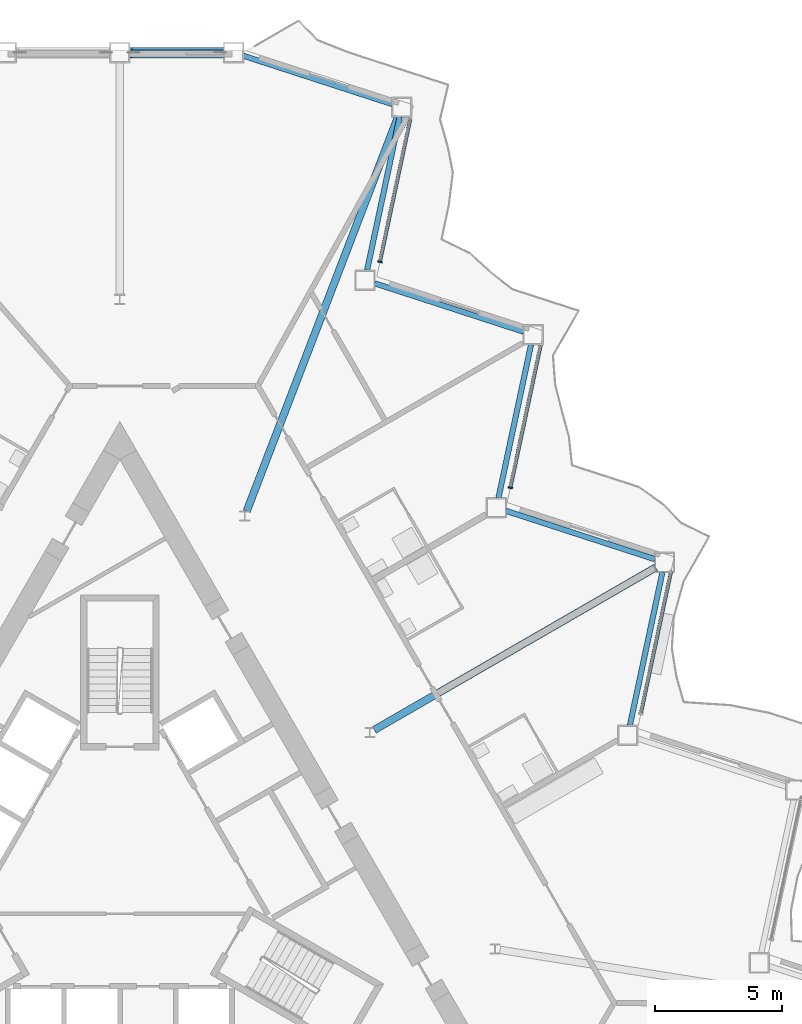
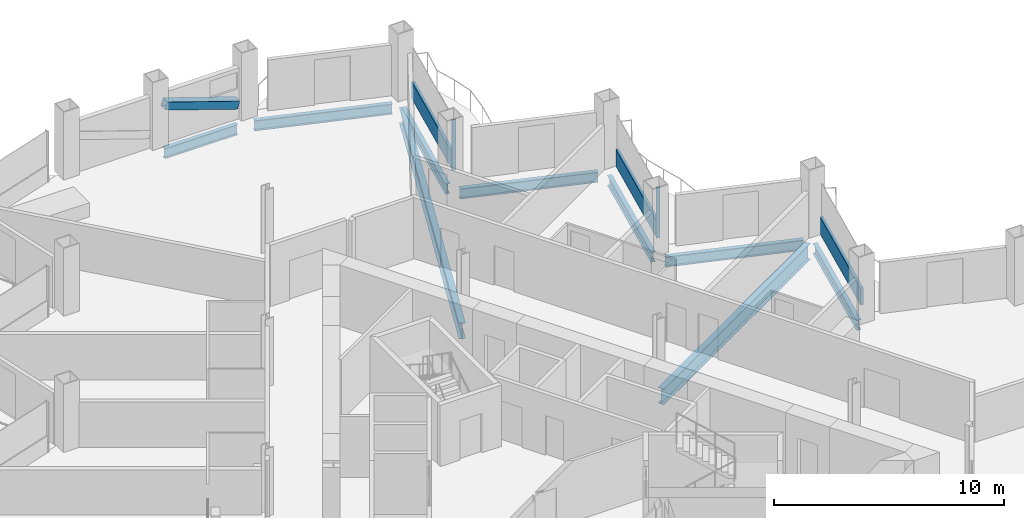
# One storey, part 8 of 23: 9 beams, 6 members, 3 elements without a shape of their own.
"""IFC4 building model written with IfcOpenShell, lengths in metres."""

from ifc_helpers import new_model, si_unit, direction, frame, origin, origin_2d, place, context, subcontext, project, spatial, rectangle, hollow_rectangle, i_section, extrude, material, layer, layer_set, material_profile, profile_set, type_object, element, aggregate, save


model = new_model("IFC4")

# Units and contexts
model_context = context("Model", 3, precision=1e-05, world=origin(), true_north=direction((0.0, 1.0)))
body_context = subcontext(model_context, "Body", "Model", "MODEL_VIEW")
ifc_project = project(units=[si_unit("LENGTHUNIT", "METRE"), si_unit("AREAUNIT", "SQUARE_METRE"), si_unit("VOLUMEUNIT", "CUBIC_METRE"), si_unit("PLANEANGLEUNIT", "RADIAN"), si_unit("MASSUNIT", "GRAM", prefix="KILO")], contexts=[model_context])

# Site, building, storey
site_placement = place(None, origin())
site = spatial("IfcSite", under=ifc_project, at=site_placement, CompositionType="ELEMENT")
building_placement = place(site_placement, origin())
building = spatial("IfcBuilding", under=site, at=building_placement, Name="Cormorant Prow Tower", CompositionType="ELEMENT")
storey_placement = place(building_placement, frame((0.0, 0.0, 180.0)))
storey = spatial("IfcBuildingStorey", under=building, at=storey_placement, Name="L38", CompositionType="ELEMENT", Elevation=180.0)

# Member
ifc_material_1 = material(Name="Structural steel ASTM A500 Gr C", Category="steel")
ifc_material_profile_1 = material_profile(ifc_material_1, hollow_rectangle(XDim=0.406494140625, YDim=0.406494140625, WallThickness=0.01171875, at=origin_2d()), Name="HSS16x16x1/2")
ifc_profile_set_1 = profile_set([ifc_material_profile_1], Name="Structural steel ASTM A500 Gr C")
member_type_1 = type_object("IfcMemberType", Name="Chamfer brace HSS16x16x1/2", PredefinedType="BRACE", material=ifc_profile_set_1)
member_1_placement = place(storey_placement, frame((4.05322265625, 32.3994140625, 0.739990234375), z_axis=(-0.947980792039, 0.0, 0.318327532464), x_axis=(0.0, -1.0, 0.0)))
element("IfcMember", 1, at=member_1_placement, inside=storey, type_object=member_type_1, Name="Chamfer brace BR2 at N00 L38", PredefinedType="BRACE", context=body_context, shape_type="SweptSolid", body=[
    extrude(hollow_rectangle(XDim=0.406494140625, YDim=0.406494140625, WallThickness=0.01171875, at=origin_2d()), origin(), (0.0, 0.0, 1.0), 3.83544921875),
])

# Curtain wall, member
ifc_material_2 = material(Name="Aluminium 6063-T6", Category="aluminium")
ifc_layer = layer(ifc_material_2, 0.179931640625)
ifc_layer_set = layer_set([ifc_layer], Name="Aluminium 6063-T6")
curtain_wall_type = type_object("IfcCurtainWallType", Name="Hotel unitised curtain wall 180", PredefinedType="NOTDEFINED", material=ifc_layer_set)
curtain_wall_1_placement = place(storey_placement, origin())
curtain_wall_1 = element("IfcCurtainWall", 2, at=curtain_wall_1_placement, inside=storey, type_object=curtain_wall_type, Name="Hotel curtain wall ENE06", PredefinedType="NOTDEFINED")
ifc_material_3 = material(Name="Aluminium 6063-T6", Category="aluminium")
ifc_material_profile_2 = material_profile(ifc_material_3, rectangle(XDim=0.179931640625, YDim=0.06005859375, at=origin_2d()), Name="Hotel mullion 60x180")
ifc_profile_set_2 = profile_set([ifc_material_profile_2], Name="Aluminium 6063-T6")
member_type_2 = type_object("IfcMemberType", Name="Hotel mullion 60x180", PredefinedType="MULLION", material=ifc_profile_set_2)
member_2_placement = place(storey_placement, frame((15.350341796875, 15.2958984375, 0.0), z_axis=(0.0, 0.0, 1.0), x_axis=(-0.978147585359, 0.207911763151, 0.0)))
member_2 = element("IfcMember", 3, at=member_2_placement, type_object=member_type_2, Name="Hotel mullion ENE06", PredefinedType="MULLION", context=body_context, shape_type="SweptSolid", body=[
    extrude(rectangle(XDim=0.179931640625, YDim=0.06005859375, at=origin_2d()), origin(), (0.0, 0.0, 1.0), 2.700927734375),
])

curtain_wall_2_placement = place(storey_placement, origin())
curtain_wall_2 = element("IfcCurtainWall", 4, at=curtain_wall_2_placement, inside=storey, type_object=curtain_wall_type, Name="Hotel curtain wall ENE08", PredefinedType="NOTDEFINED")
member_3_placement = place(storey_placement, frame((10.223388671875, 24.176513671875, 0.0), z_axis=(0.0, 0.0, 1.0), x_axis=(-0.978147621102, 0.207911594993, 0.0)))
member_3 = element("IfcMember", 5, at=member_3_placement, type_object=member_type_2, Name="Hotel mullion ENE08", PredefinedType="MULLION", context=body_context, shape_type="SweptSolid", body=[
    extrude(rectangle(XDim=0.179931640625, YDim=0.06005859375, at=origin_2d()), origin(), (0.0, 0.0, 1.0), 2.700927734375),
])

curtain_wall_3_placement = place(storey_placement, origin())
curtain_wall_3 = element("IfcCurtainWall", 6, at=curtain_wall_3_placement, inside=storey, type_object=curtain_wall_type, Name="Hotel curtain wall ENE04", PredefinedType="NOTDEFINED")
ifc_material_4 = material(Name="Terracotta", Category="masonry")
ifc_material_profile_3 = material_profile(ifc_material_4, rectangle(XDim=0.139892578125, YDim=0.89990234375, at=origin_2d()), Name="Hotel terracotta spandrel rail 140x900")
ifc_profile_set_3 = profile_set([ifc_material_profile_3], Name="Terracotta")
member_type_3 = type_object("IfcMemberType", Name="Hotel terracotta spandrel rail 140x900", PredefinedType="USERDEFINED", material=ifc_profile_set_3)
member_4_placement = place(storey_placement, frame((20.483642578125, 6.44482421875, 0.449951171875), z_axis=(0.207915072454, 0.978146881939, 0.0), x_axis=(-0.978146881939, 0.207915072454, 0.0)))
member_4 = element("IfcMember", 7, at=member_4_placement, type_object=member_type_3, Name="Hotel spandrel rail ENE04", ObjectType="TRANSOM", PredefinedType="USERDEFINED", context=body_context, shape_type="SweptSolid", body=[
    extrude(rectangle(XDim=0.139892578125, YDim=0.89990234375, at=origin_2d()), origin(), (0.0, 0.0, 1.0), 5.703125),
])
aggregate(curtain_wall_3, [member_4])

# Member
member_5_placement = place(storey_placement, frame((15.356689453125, 15.325439453125, 0.449951171875), z_axis=(0.207923778595, 0.978145031319, 0.0), x_axis=(-0.978145031319, 0.207923778595, 0.0)))
member_5 = element("IfcMember", 8, at=member_5_placement, type_object=member_type_3, Name="Hotel spandrel rail ENE06", ObjectType="TRANSOM", PredefinedType="USERDEFINED", context=body_context, shape_type="SweptSolid", body=[
    extrude(rectangle(XDim=0.139892578125, YDim=0.89990234375, at=origin_2d()), origin(), (0.0, 0.0, 1.0), 5.703125),
])

aggregate(curtain_wall_1, [member_2, member_5])

member_6_placement = place(storey_placement, frame((10.2294921875, 24.205810546875, 0.449951171875), z_axis=(0.207915072454, 0.978146881939, 0.0), x_axis=(-0.978146881939, 0.207915072454, 0.0)))
member_6 = element("IfcMember", 9, at=member_6_placement, type_object=member_type_3, Name="Hotel spandrel rail ENE08", ObjectType="TRANSOM", PredefinedType="USERDEFINED", context=body_context, shape_type="SweptSolid", body=[
    extrude(rectangle(XDim=0.139892578125, YDim=0.89990234375, at=origin_2d()), origin(), (0.0, 0.0, 1.0), 5.703125),
])

aggregate(curtain_wall_2, [member_3, member_6])

# Beams
ifc_material_5 = material(Name="Structural steel ASTM A992 Gr 50", Category="steel")
ifc_material_profile_4 = material_profile(ifc_material_5, i_section(OverallWidth=0.29296875, OverallDepth=0.845703125, WebThickness=0.015380859375, FlangeThickness=0.0244140625, at=origin_2d()), Name="W33x141")
ifc_profile_set_4 = profile_set([ifc_material_profile_4], Name="Structural steel ASTM A992 Gr 50")
beam_type_1 = type_object("IfcBeamType", Name="Radial floor beam W33x141", PredefinedType="BEAM", material=ifc_profile_set_4)
beam_1_placement = place(storey_placement, frame((10.0048828125, 5.7763671875, -0.77294921875), z_axis=(0.866026069776, 0.499998846467, 0.0), x_axis=(-0.499998846467, 0.866026069776, 0.0)))
element("IfcBeam", 10, at=beam_1_placement, inside=storey, type_object=beam_type_1, Name="Radial floor beam FB2 11 L38", PredefinedType="BEAM", context=body_context, shape_type="SweptSolid", body=[
    extrude(i_section(OverallWidth=0.29296875, OverallDepth=0.845703125, WebThickness=0.015380859375, FlangeThickness=0.0244140625, at=origin_2d()), origin(), (0.0, 0.0, 1.0), 12.76904296875),
])
beam_2_placement = place(storey_placement, frame((4.9873046875, 14.376220703125, -0.77294921875), z_axis=(0.358301123829, 0.933606075742, 0.0), x_axis=(-0.933606075742, 0.358301123829, 0.0)))
element("IfcBeam", 11, at=beam_2_placement, inside=storey, type_object=beam_type_1, Name="Radial floor beam FB2 12 L38", PredefinedType="BEAM", context=body_context, shape_type="SweptSolid", body=[
    extrude(i_section(OverallWidth=0.29296875, OverallDepth=0.845703125, WebThickness=0.015380859375, FlangeThickness=0.0244140625, at=origin_2d()), origin(), (0.0, 0.0, 1.0), 16.604736328125),
])
ifc_material_6 = material(Name="Structural steel ASTM A992 Gr 50", Category="steel")
ifc_material_profile_5 = material_profile(ifc_material_6, i_section(OverallWidth=0.2138671875, OverallDepth=0.549072265625, WebThickness=0.0146484375, FlangeThickness=0.023681640625, at=origin_2d()), Name="W21x93")
ifc_profile_set_5 = profile_set([ifc_material_profile_5], Name="Structural steel ASTM A992 Gr 50")
beam_type_2 = type_object("IfcBeamType", Name="Spandrel beam W21x93", PredefinedType="SPANDREL", material=ifc_profile_set_5)
beam_3_placement = place(storey_placement, frame((20.0478515625, 5.9541015625, -0.62451171875), z_axis=(0.207904811195, 0.978149063018, 0.0), x_axis=(-0.978149063018, 0.207904811195, 0.0)))
element("IfcBeam", 12, at=beam_3_placement, inside=storey, type_object=beam_type_2, Name="Spandrel beam SB2 ENE04-ENE05 L38", PredefinedType="SPANDREL", context=body_context, shape_type="SweptSolid", body=[
    extrude(i_section(OverallWidth=0.2138671875, OverallDepth=0.549072265625, WebThickness=0.0146484375, FlangeThickness=0.023681640625, at=origin_2d()), origin(), (0.0, 0.0, 1.0), 6.149658203125),
])
beam_4_placement = place(storey_placement, frame((21.029052734375, 12.484375, -0.62451171875), z_axis=(-0.951057696564, 0.309013361859, 0.0), x_axis=(-0.309013361859, -0.951057696564, 0.0)))
element("IfcBeam", 13, at=beam_4_placement, inside=storey, type_object=beam_type_2, Name="Spandrel beam SB2 ENE05-ENE06 L38", PredefinedType="SPANDREL", context=body_context, shape_type="SweptSolid", body=[
    extrude(i_section(OverallWidth=0.2138671875, OverallDepth=0.549072265625, WebThickness=0.0146484375, FlangeThickness=0.023681640625, at=origin_2d()), origin(), (0.0, 0.0, 1.0), 6.14990234375),
])
beam_5_placement = place(storey_placement, frame((14.883056640625, 14.899658203125, -0.62451171875), z_axis=(0.207904811195, 0.978149063018, 0.0), x_axis=(-0.978149063018, 0.207904811195, 0.0)))
element("IfcBeam", 14, at=beam_5_placement, inside=storey, type_object=beam_type_2, Name="Spandrel beam SB2 ENE06-ENE07 L38", PredefinedType="SPANDREL", context=body_context, shape_type="SweptSolid", body=[
    extrude(i_section(OverallWidth=0.2138671875, OverallDepth=0.549072265625, WebThickness=0.0146484375, FlangeThickness=0.023681640625, at=origin_2d()), origin(), (0.0, 0.0, 1.0), 6.149658203125),
])
beam_6_placement = place(storey_placement, frame((15.864501953125, 21.429931640625, -0.62451171875), z_axis=(-0.951057696564, 0.309013361859, 0.0), x_axis=(-0.309013361859, -0.951057696564, 0.0)))
element("IfcBeam", 15, at=beam_6_placement, inside=storey, type_object=beam_type_2, Name="Spandrel beam SB2 ENE07-ENE08 L38", PredefinedType="SPANDREL", context=body_context, shape_type="SweptSolid", body=[
    extrude(i_section(OverallWidth=0.2138671875, OverallDepth=0.549072265625, WebThickness=0.0146484375, FlangeThickness=0.023681640625, at=origin_2d()), origin(), (0.0, 0.0, 1.0), 6.14990234375),
])
beam_7_placement = place(storey_placement, frame((9.71826171875, 23.84521484375, -0.62451171875), z_axis=(0.207904811195, 0.978149063018, 0.0), x_axis=(-0.978149063018, 0.207904811195, 0.0)))
element("IfcBeam", 16, at=beam_7_placement, inside=storey, type_object=beam_type_2, Name="Spandrel beam SB2 ENE08-ENE09 L38", PredefinedType="SPANDREL", context=body_context, shape_type="SweptSolid", body=[
    extrude(i_section(OverallWidth=0.2138671875, OverallDepth=0.549072265625, WebThickness=0.0146484375, FlangeThickness=0.023681640625, at=origin_2d()), origin(), (0.0, 0.0, 1.0), 6.149658203125),
])
beam_8_placement = place(storey_placement, frame((10.69970703125, 30.37548828125, -0.62451171875), z_axis=(-0.951057696564, 0.309013361859, 0.0), x_axis=(-0.309013361859, -0.951057696564, 0.0)))
element("IfcBeam", 17, at=beam_8_placement, inside=storey, type_object=beam_type_2, Name="Spandrel beam SB2 ENE09-N00 L38", PredefinedType="SPANDREL", context=body_context, shape_type="SweptSolid", body=[
    extrude(i_section(OverallWidth=0.2138671875, OverallDepth=0.549072265625, WebThickness=0.0146484375, FlangeThickness=0.023681640625, at=origin_2d()), origin(), (0.0, 0.0, 1.0), 6.14990234375),
])
beam_9_placement = place(storey_placement, frame((4.0703125, 32.3994140625, -0.62451171875), z_axis=(-1.0, 0.0, 0.0), x_axis=(0.0, -1.0, 0.0)))
element("IfcBeam", 18, at=beam_9_placement, inside=storey, type_object=beam_type_2, Name="Spandrel beam SB2 N00-N01 L38", PredefinedType="SPANDREL", context=body_context, shape_type="SweptSolid", body=[
    extrude(i_section(OverallWidth=0.2138671875, OverallDepth=0.549072265625, WebThickness=0.0146484375, FlangeThickness=0.023681640625, at=origin_2d()), origin(), (0.0, 0.0, 1.0), 3.67041015625),
])

save(model, "model.ifc")
